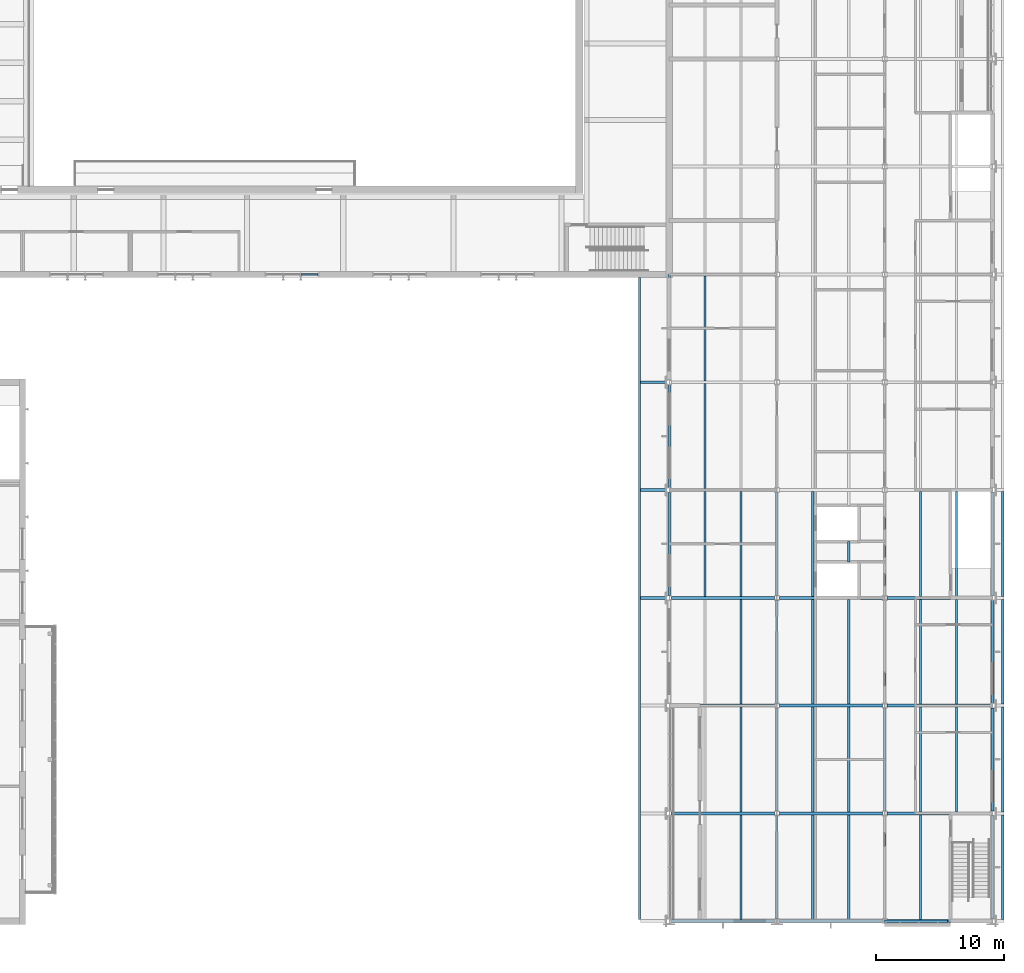
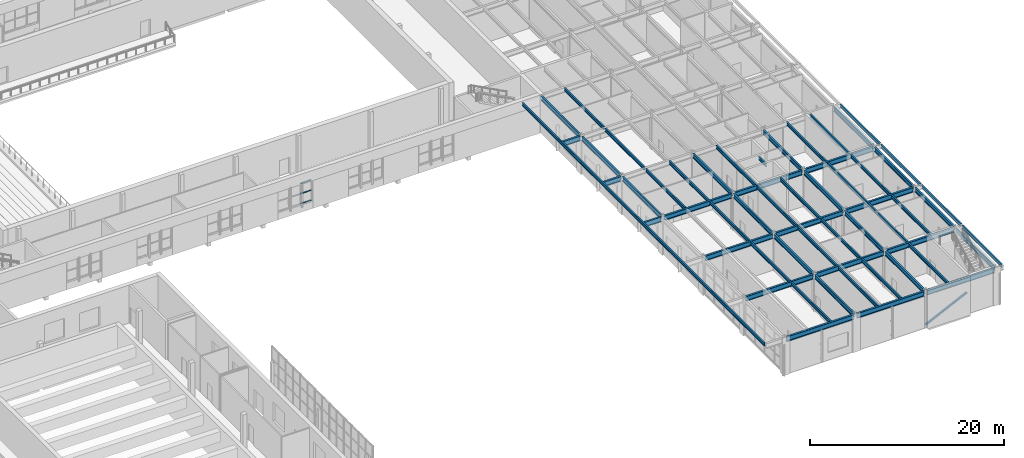
# One storey, part 26 of 116: 57 beams, 4 members, 1 element without a shape of its own.
"""IFC4 building model written with IfcOpenShell, lengths in metres."""

from ifc_helpers import new_model, si_unit, direction, frame, origin, origin_2d, place, context, subcontext, project, spatial, rectangle, hollow_rectangle, i_section, extrude, material, material_profile, profile_set, type_object, element, aggregate, save


model = new_model("IFC4")

# Units and contexts
model_context = context("Model", 3, precision=1e-05, world=origin(), true_north=direction((0.0, 1.0)))
body_context = subcontext(model_context, "Body", "Model", "MODEL_VIEW")
ifc_project = project(units=[si_unit("LENGTHUNIT", "METRE"), si_unit("AREAUNIT", "SQUARE_METRE"), si_unit("VOLUMEUNIT", "CUBIC_METRE"), si_unit("PLANEANGLEUNIT", "RADIAN"), si_unit("MASSUNIT", "GRAM", prefix="KILO")], contexts=[model_context])

# Site, building, storey
site_placement = place(None, origin())
site = spatial("IfcSite", under=ifc_project, at=site_placement, CompositionType="ELEMENT")
building_placement = place(site_placement, origin())
building = spatial("IfcBuilding", under=site, at=building_placement, Name="Ljudholm Concert House", CompositionType="ELEMENT")
storey_placement = place(building_placement, frame((0.0, 0.0, 10.199951171875)))
storey = spatial("IfcBuildingStorey", under=building, at=storey_placement, Name="L02", CompositionType="ELEMENT", Elevation=10.199951171875)

# Beams
ifc_material_1 = material(Name="Steel ASTM A992", Category="steel")
ifc_material_profile_1 = material_profile(ifc_material_1, i_section(OverallWidth=0.177734375, OverallDepth=0.406494140625, WebThickness=0.0078125, FlangeThickness=0.012939453125, FilletRadius=0.01025390625, at=origin_2d()), Name="W16X40")
ifc_profile_set_1 = profile_set([ifc_material_profile_1], Name="Steel ASTM A992")
beam_type_1 = type_object("IfcBeamType", Name="STEEL BEAM W16X40", PredefinedType="BEAM", material=ifc_profile_set_1)
for number, where, z_axis, x_axis, name in (
    (1, (102.0, 4.114501953125, 4.416748046875), (0.0, 1.0, 0.0), (-1.0, 0.0, 0.0), "Beam BOH-ROOF-sb-102-4"),
    (2, (102.0, 12.5146484375, 4.416748046875), (0.0, 1.0, 0.0), (-1.0, 0.0, 0.0), "Beam BOH-ROOF-sb-102-12.4"),
    (3, (102.0, 20.91455078125, 4.416748046875), (0.0, 1.0, 0.0), (-1.0, 0.0, 0.0), "Beam BOH-ROOF-sb-102-20.8"),
    (4, (99.199951171875, 29.314453125, 4.416748046875), (0.0, 1.0, 0.0), (-1.0, 0.0, 0.0), "Beam BOH-ROOF-sb-99.2-29.2"),
    (5, (102.0, 29.314453125, 4.416748046875), (0.0, 1.0, 0.0), (-1.0, 0.0, 0.0), "Beam BOH-ROOF-sb-102-29.2"),
    (6, (99.199951171875, 37.714599609375, 4.416748046875), (0.0, 1.0, 0.0), (-1.0, 0.0, 0.0), "Beam BOH-ROOF-sb-99.2-37.6"),
    (7, (99.199951171875, 46.114501953125, 4.416748046875), (0.0, 1.0, 0.0), (-1.0, 0.0, 0.0), "Beam BOH-ROOF-sb-99.2-46"),
    (8, (107.60009765625, 4.114501953125, 4.416748046875), (0.0, 1.0, 0.0), (-1.0, 0.0, 0.0), "Beam BOH-ROOF-sb-107.6-4"),
    (9, (110.39990234375, 4.114501953125, 4.416748046875), (0.0, 1.0, 0.0), (-1.0, 0.0, 0.0), "Beam BOH-ROOF-sb-110.4-4"),
    (10, (107.60009765625, 12.5146484375, 4.416748046875), (0.0, 1.0, 0.0), (-1.0, 0.0, 0.0), "Beam BOH-ROOF-sb-107.6-12.4"),
    (11, (110.39990234375, 12.5146484375, 4.416748046875), (0.0, 1.0, 0.0), (-1.0, 0.0, 0.0), "Beam BOH-ROOF-sb-110.4-12.4"),
    (12, (107.60009765625, 20.91455078125, 4.416748046875), (0.0, 1.0, 0.0), (-1.0, 0.0, 0.0), "Beam BOH-ROOF-sb-107.6-20.8"),
    (13, (110.39990234375, 20.91455078125, 4.416748046875), (0.0, 1.0, 0.0), (-1.0, 0.0, 0.0), "Beam BOH-ROOF-sb-110.4-20.8"),
    (14, (107.60009765625, 29.314453125, 4.416748046875), (0.0, 1.0, 0.0), (-1.0, 0.0, 0.0), "Beam BOH-ROOF-sb-107.6-29.2"),
):
    element("IfcBeam", number, at=place(storey_placement, frame(where, z_axis=z_axis, x_axis=x_axis)), inside=storey, type_object=beam_type_1, Name=name, PredefinedType="BEAM", context=body_context, shape_type="SweptSolid", body=[
        extrude(i_section(OverallWidth=0.177734375, OverallDepth=0.406494140625, WebThickness=0.0078125, FlangeThickness=0.012939453125, FilletRadius=0.01025390625, at=origin_2d()), origin(), (0.0, 0.0, 1.0), 8.1708984375),
    ])
beam_1_placement = place(storey_placement, frame((110.39990234375, 32.0, 4.416748046875), z_axis=(0.0, 1.0, 0.0), x_axis=(-1.0, 0.0, 0.0)))
element("IfcBeam", 15, at=beam_1_placement, inside=storey, type_object=beam_type_1, Name="Beam BOH-ROOF-sb-110.4-29.2-1", PredefinedType="BEAM", context=body_context, shape_type="SweptSolid", body=[
    extrude(i_section(OverallWidth=0.177734375, OverallDepth=0.406494140625, WebThickness=0.0078125, FlangeThickness=0.012939453125, FilletRadius=0.01025390625, at=origin_2d()), origin(), (0.0, 0.0, 1.0), 1.60009765625),
])
for number, where, z_axis, x_axis, name in (
    (16, (116.0, 4.114501953125, 4.416748046875), (0.0, 1.0, 0.0), (-1.0, 0.0, 0.0), "Beam BOH-ROOF-sb-116-4"),
    (17, (116.0, 12.5146484375, 4.416748046875), (0.0, 1.0, 0.0), (-1.0, 0.0, 0.0), "Beam BOH-ROOF-sb-116-12.4"),
    (18, (118.800048828125, 12.5146484375, 4.416748046875), (0.0, 1.0, 0.0), (-1.0, 0.0, 0.0), "Beam BOH-ROOF-sb-118.8-12.4"),
    (19, (116.0, 20.91455078125, 4.416748046875), (0.0, 1.0, 0.0), (-1.0, 0.0, 0.0), "Beam BOH-ROOF-sb-116-20.8"),
    (20, (118.800048828125, 20.91455078125, 4.416748046875), (0.0, 1.0, 0.0), (-1.0, 0.0, 0.0), "Beam BOH-ROOF-sb-118.8-20.8"),
    (21, (116.0, 29.314453125, 4.416748046875), (0.0, 1.0, 0.0), (-1.0, 0.0, 0.0), "Beam BOH-ROOF-sb-116-29.2"),
    (22, (118.800048828125, 29.314453125, 4.416748046875), (0.0, 1.0, 0.0), (-1.0, 0.0, 0.0), "Beam BOH-ROOF-sb-118.8-29.2"),
):
    element("IfcBeam", number, at=place(storey_placement, frame(where, z_axis=z_axis, x_axis=x_axis)), inside=storey, type_object=beam_type_1, Name=name, PredefinedType="BEAM", context=body_context, shape_type="SweptSolid", body=[
        extrude(i_section(OverallWidth=0.177734375, OverallDepth=0.406494140625, WebThickness=0.0078125, FlangeThickness=0.012939453125, FilletRadius=0.01025390625, at=origin_2d()), origin(), (0.0, 0.0, 1.0), 8.1708984375),
    ])
beam_2_placement = place(storey_placement, frame((94.0888671875, 4.114501953125, 4.416748046875), z_axis=(0.0, 1.0, 0.0), x_axis=(-1.0, 0.0, 0.0)))
element("IfcBeam", 23, at=beam_2_placement, inside=storey, type_object=beam_type_1, Name="Beam BOH-ROOF-eave-edge-W", PredefinedType="BEAM", context=body_context, shape_type="SweptSolid", body=[
    extrude(i_section(OverallWidth=0.177734375, OverallDepth=0.406494140625, WebThickness=0.0078125, FlangeThickness=0.012939453125, FilletRadius=0.01025390625, at=origin_2d()), origin(), (0.0, 0.0, 1.0), 50.035400390625),
])
for number, where, z_axis, x_axis, name in (
    (24, (122.4111328125, 4.114501953125, 4.416748046875), (0.0, 1.0, 0.0), (-1.0, 0.0, 0.0), "Beam BOH-ROOF-eave-edge-E1"),
    (25, (122.4111328125, 12.5146484375, 4.416748046875), (0.0, 1.0, 0.0), (-1.0, 0.0, 0.0), "Beam BOH-ROOF-eave-edge-E2"),
    (26, (122.4111328125, 20.91455078125, 4.416748046875), (0.0, 1.0, 0.0), (-1.0, 0.0, 0.0), "Beam BOH-ROOF-eave-edge-E3"),
    (27, (122.4111328125, 29.314453125, 4.416748046875), (0.0, 1.0, 0.0), (-1.0, 0.0, 0.0), "Beam BOH-ROOF-eave-edge-E4"),
):
    element("IfcBeam", number, at=place(storey_placement, frame(where, z_axis=z_axis, x_axis=x_axis)), inside=storey, type_object=beam_type_1, Name=name, PredefinedType="BEAM", context=body_context, shape_type="SweptSolid", body=[
        extrude(i_section(OverallWidth=0.177734375, OverallDepth=0.406494140625, WebThickness=0.0078125, FlangeThickness=0.012939453125, FilletRadius=0.01025390625, at=origin_2d()), origin(), (0.0, 0.0, 1.0), 8.1708984375),
    ])
ifc_material_2 = material(Name="Steel ASTM A992", Category="steel")
ifc_material_profile_2 = material_profile(ifc_material_2, i_section(OverallWidth=0.209228515625, OverallDepth=0.533447265625, WebThickness=0.01025390625, FlangeThickness=0.015625, FilletRadius=0.012939453125, at=origin_2d()), Name="W21X62")
ifc_profile_set_2 = profile_set([ifc_material_profile_2], Name="Steel ASTM A992")
beam_type_2 = type_object("IfcBeamType", Name="STEEL BEAM W21X62", PredefinedType="BEAM", material=ifc_profile_set_2)
for number, where, z_axis, x_axis, name in (
    (28, (96.39990234375, 29.377685546875, 4.353271484375), (0.0, 1.0, 0.0), (-1.0, 0.0, 0.0), "Beam BOH-ROOF-gy-96.4-29.2"),
    (29, (96.39990234375, 37.77783203125, 4.353271484375), (0.0, 1.0, 0.0), (-1.0, 0.0, 0.0), "Beam BOH-ROOF-gy-96.4-37.6"),
):
    element("IfcBeam", number, at=place(storey_placement, frame(where, z_axis=z_axis, x_axis=x_axis)), inside=storey, type_object=beam_type_2, Name=name, PredefinedType="BEAM", context=body_context, shape_type="SweptSolid", body=[
        extrude(i_section(OverallWidth=0.209228515625, OverallDepth=0.533447265625, WebThickness=0.01025390625, FlangeThickness=0.015625, FilletRadius=0.012939453125, at=origin_2d()), origin(), (0.0, 0.0, 1.0), 8.04443359375),
    ])
beam_3_placement = place(storey_placement, frame((96.39990234375, 46.177734375, 4.353271484375), z_axis=(0.0, 1.0, 0.0), x_axis=(-1.0, 0.0, 0.0)))
element("IfcBeam", 30, at=beam_3_placement, inside=storey, type_object=beam_type_2, Name="Beam BOH-ROOF-gy-96.4-46", PredefinedType="BEAM", context=body_context, shape_type="SweptSolid", body=[
    extrude(i_section(OverallWidth=0.209228515625, OverallDepth=0.533447265625, WebThickness=0.01025390625, FlangeThickness=0.015625, FilletRadius=0.012939453125, at=origin_2d()), origin(), (0.0, 0.0, 1.0), 8.22216796875),
])
for number, where, z_axis, x_axis, name in (
    (31, (104.800048828125, 4.177734375, 4.353271484375), (0.0, 1.0, 0.0), (-1.0, 0.0, 0.0), "Beam BOH-ROOF-gy-104.8-4"),
    (32, (104.800048828125, 12.577880859375, 4.353271484375), (0.0, 1.0, 0.0), (-1.0, 0.0, 0.0), "Beam BOH-ROOF-gy-104.8-12.4"),
    (33, (104.800048828125, 20.977783203125, 4.353271484375), (0.0, 1.0, 0.0), (-1.0, 0.0, 0.0), "Beam BOH-ROOF-gy-104.8-20.8"),
    (34, (104.800048828125, 29.377685546875, 4.353271484375), (0.0, 1.0, 0.0), (-1.0, 0.0, 0.0), "Beam BOH-ROOF-gy-104.8-29.2"),
    (35, (113.199951171875, 4.177734375, 4.353271484375), (0.0, 1.0, 0.0), (-1.0, 0.0, 0.0), "Beam BOH-ROOF-gy-113.2-4"),
    (36, (113.199951171875, 12.577880859375, 4.353271484375), (0.0, 1.0, 0.0), (-1.0, 0.0, 0.0), "Beam BOH-ROOF-gy-113.2-12.4"),
    (37, (113.199951171875, 20.977783203125, 4.353271484375), (0.0, 1.0, 0.0), (-1.0, 0.0, 0.0), "Beam BOH-ROOF-gy-113.2-20.8"),
    (38, (113.199951171875, 29.377685546875, 4.353271484375), (0.0, 1.0, 0.0), (-1.0, 0.0, 0.0), "Beam BOH-ROOF-gy-113.2-29.2"),
    (39, (121.60009765625, 4.177734375, 4.353271484375), (0.0, 1.0, 0.0), (-1.0, 0.0, 0.0), "Beam BOH-ROOF-gy-121.6-4"),
    (40, (121.60009765625, 12.577880859375, 4.353271484375), (0.0, 1.0, 0.0), (-1.0, 0.0, 0.0), "Beam BOH-ROOF-gy-121.6-12.4"),
    (41, (121.60009765625, 20.977783203125, 4.353271484375), (0.0, 1.0, 0.0), (-1.0, 0.0, 0.0), "Beam BOH-ROOF-gy-121.6-20.8"),
    (42, (121.60009765625, 29.377685546875, 4.353271484375), (0.0, 1.0, 0.0), (-1.0, 0.0, 0.0), "Beam BOH-ROOF-gy-121.6-29.2"),
):
    element("IfcBeam", number, at=place(storey_placement, frame(where, z_axis=z_axis, x_axis=x_axis)), inside=storey, type_object=beam_type_2, Name=name, PredefinedType="BEAM", context=body_context, shape_type="SweptSolid", body=[
        extrude(i_section(OverallWidth=0.209228515625, OverallDepth=0.533447265625, WebThickness=0.01025390625, FlangeThickness=0.015625, FilletRadius=0.012939453125, at=origin_2d()), origin(), (0.0, 0.0, 1.0), 8.04443359375),
    ])
ifc_material_3 = material(Name="Steel ASTM A992", Category="steel")
ifc_material_profile_3 = material_profile(ifc_material_3, i_section(OverallWidth=0.22900390625, OverallDepth=0.612060546875, WebThickness=0.011962890625, FlangeThickness=0.01953125, FilletRadius=0.0126953125, at=origin_2d()), Name="W24X84")
ifc_profile_set_3 = profile_set([ifc_material_profile_3], Name="Steel ASTM A992")
beam_type_3 = type_object("IfcBeamType", Name="STEEL BEAM W24X84", PredefinedType="BEAM", material=ifc_profile_set_3)
for number, where, z_axis, x_axis, name in (
    (43, (96.584228515625, 4.0, 4.31396484375), (1.0, 0.0, 0.0), (0.0, 1.0, 0.0), "Beam BOH-ROOF-gx-96.4-4"),
    (44, (104.984130859375, 4.0, 4.31396484375), (1.0, 0.0, 0.0), (0.0, 1.0, 0.0), "Beam BOH-ROOF-gx-104.8-4"),
    (45, (113.384033203125, 4.0, 4.31396484375), (1.0, 0.0, 0.0), (0.0, 1.0, 0.0), "Beam BOH-ROOF-gx-113.2-4"),
    (46, (96.584228515625, 12.39990234375, 4.31396484375), (1.0, 0.0, 0.0), (0.0, 1.0, 0.0), "Beam BOH-ROOF-gx-96.4-12.4"),
    (47, (104.984130859375, 12.39990234375, 4.31396484375), (1.0, 0.0, 0.0), (0.0, 1.0, 0.0), "Beam BOH-ROOF-gx-104.8-12.4"),
    (48, (113.384033203125, 12.39990234375, 4.31396484375), (1.0, 0.0, 0.0), (0.0, 1.0, 0.0), "Beam BOH-ROOF-gx-113.2-12.4"),
    (49, (96.584228515625, 20.800048828125, 4.31396484375), (1.0, 0.0, 0.0), (0.0, 1.0, 0.0), "Beam BOH-ROOF-gx-96.4-20.8"),
    (50, (104.984130859375, 20.800048828125, 4.31396484375), (1.0, 0.0, 0.0), (0.0, 1.0, 0.0), "Beam BOH-ROOF-gx-104.8-20.8"),
    (51, (113.384033203125, 20.800048828125, 4.31396484375), (1.0, 0.0, 0.0), (0.0, 1.0, 0.0), "Beam BOH-ROOF-gx-113.2-20.8"),
    (52, (96.584228515625, 29.199951171875, 4.31396484375), (1.0, 0.0, 0.0), (0.0, 1.0, 0.0), "Beam BOH-ROOF-gx-96.4-29.2"),
    (53, (104.984130859375, 29.199951171875, 4.31396484375), (1.0, 0.0, 0.0), (0.0, 1.0, 0.0), "Beam BOH-ROOF-gx-104.8-29.2"),
    (54, (113.384033203125, 29.199951171875, 4.31396484375), (1.0, 0.0, 0.0), (0.0, 1.0, 0.0), "Beam BOH-ROOF-gx-113.2-29.2"),
):
    element("IfcBeam", number, at=place(storey_placement, frame(where, z_axis=z_axis, x_axis=x_axis)), inside=storey, type_object=beam_type_3, Name=name, PredefinedType="BEAM", context=body_context, shape_type="SweptSolid", body=[
        extrude(i_section(OverallWidth=0.22900390625, OverallDepth=0.612060546875, WebThickness=0.011962890625, FlangeThickness=0.01953125, FilletRadius=0.0126953125, at=origin_2d()), origin(), (0.0, 0.0, 1.0), 8.03173828125),
    ])
for number, where, z_axis, x_axis, name in (
    (55, (96.2158203125, 29.199951171875, 4.31396484375), (-1.0, 0.0, 0.0), (0.0, -1.0, 0.0), "Beam BOH-ROOF-eave-gW-29.2"),
    (56, (96.2158203125, 37.60009765625, 4.31396484375), (-1.0, 0.0, 0.0), (0.0, -1.0, 0.0), "Beam BOH-ROOF-eave-gW-37.6"),
    (57, (96.2158203125, 46.0, 4.31396484375), (-1.0, 0.0, 0.0), (0.0, -1.0, 0.0), "Beam BOH-ROOF-eave-gW-46"),
):
    element("IfcBeam", number, at=place(storey_placement, frame(where, z_axis=z_axis, x_axis=x_axis)), inside=storey, type_object=beam_type_3, Name=name, PredefinedType="BEAM", context=body_context, shape_type="SweptSolid", body=[
        extrude(i_section(OverallWidth=0.22900390625, OverallDepth=0.612060546875, WebThickness=0.011962890625, FlangeThickness=0.01953125, FilletRadius=0.0126953125, at=origin_2d()), origin(), (0.0, 0.0, 1.0), 2.0380859375),
    ])

# Member
ifc_material_4 = material(Name="Steel ASTM A500 Gr. C", Category="steel")
ifc_material_profile_4 = material_profile(ifc_material_4, hollow_rectangle(XDim=0.203125, YDim=0.203125, WallThickness=0.01171875, InnerFilletRadius=0.005859375, OuterFilletRadius=0.017822265625, at=origin_2d()), Name="HSS8X8X1/2")
ifc_profile_set_4 = profile_set([ifc_material_profile_4], Name="Steel ASTM A500 Gr. C")
member_type_1 = type_object("IfcMemberType", Name="STEEL MEMBER HSS8X8X1/2 BRACE", PredefinedType="BRACE", material=ifc_profile_set_4)
member_1_placement = place(storey_placement, frame((113.199951171875, 4.0, 0.300048828125), z_axis=(0.90202329703, 0.0, 0.431687354012), x_axis=(0.0, 1.0, 0.0)))
element("IfcMember", 58, at=member_1_placement, inside=storey, type_object=member_type_1, Name="Brace", PredefinedType="BRACE", context=body_context, shape_type="SweptSolid", body=[
    extrude(hollow_rectangle(XDim=0.203125, YDim=0.203125, WallThickness=0.01171875, InnerFilletRadius=0.005859375, OuterFilletRadius=0.017822265625, at=origin_2d()), origin(), (0.0, 0.0, 1.0), 5.476806640625),
])

# Curtain wall, members
ifc_material_5 = material(Name="Aluminium curtain wall with impact-rated laminated glass", Category="aluminium")
curtain_wall_type = type_object("IfcCurtainWallType", Name="CURTAIN WALL 1400", PredefinedType="NOTDEFINED", material=ifc_material_5)
curtain_wall_placement = place(storey_placement, origin())
curtain_wall = element("IfcCurtainWall", 59, at=curtain_wall_placement, inside=storey, type_object=curtain_wall_type, Name="Promenade curtain wall", PredefinedType="NOTDEFINED")
ifc_material_6 = material(Name="Aluminium extrusion", Category="aluminium")
ifc_material_profile_5 = material_profile(ifc_material_6, rectangle(XDim=0.1201171875, YDim=0.06005859375, at=origin_2d()), Name="TRANSOM 60x120")
ifc_profile_set_5 = profile_set([ifc_material_profile_5], Name="Aluminium extrusion")
member_type_2 = type_object("IfcMemberType", Name="TRANSOM 60x120", PredefinedType="USERDEFINED", material=ifc_profile_set_5)
member_2_placement = place(storey_placement, frame((67.719970703125, 54.39990234375, 0.929931640625), z_axis=(1.0, 0.0, 0.0), x_axis=(0.0, 1.0, 0.0)))
member_2 = element("IfcMember", 60, at=member_2_placement, type_object=member_type_2, Name="Transom", ObjectType="TRANSOM", PredefinedType="USERDEFINED", context=body_context, shape_type="SweptSolid", body=[
    extrude(rectangle(XDim=0.1201171875, YDim=0.06005859375, at=origin_2d()), origin(), (0.0, 0.0, 1.0), 1.2900390625),
])
member_3_placement = place(storey_placement, frame((67.719970703125, 54.39990234375, 2.199951171875), z_axis=(1.0, 0.0, 0.0), x_axis=(0.0, 1.0, 0.0)))
member_3 = element("IfcMember", 61, at=member_3_placement, type_object=member_type_2, Name="Transom", ObjectType="TRANSOM", PredefinedType="USERDEFINED", context=body_context, shape_type="SweptSolid", body=[
    extrude(rectangle(XDim=0.1201171875, YDim=0.06005859375, at=origin_2d()), origin(), (0.0, 0.0, 1.0), 1.2900390625),
])
member_4_placement = place(storey_placement, frame((67.719970703125, 54.39990234375, 3.469970703125), z_axis=(1.0, 0.0, 0.0), x_axis=(0.0, 1.0, 0.0)))
member_4 = element("IfcMember", 62, at=member_4_placement, type_object=member_type_2, Name="Transom", ObjectType="TRANSOM", PredefinedType="USERDEFINED", context=body_context, shape_type="SweptSolid", body=[
    extrude(rectangle(XDim=0.1201171875, YDim=0.06005859375, at=origin_2d()), origin(), (0.0, 0.0, 1.0), 1.2900390625),
])
aggregate(curtain_wall, [member_2, member_3, member_4])

save(model, "model.ifc")
